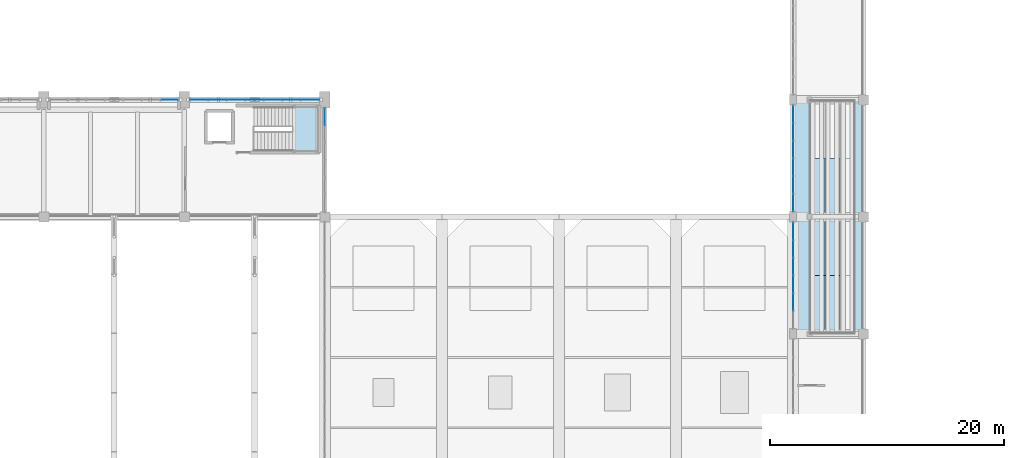
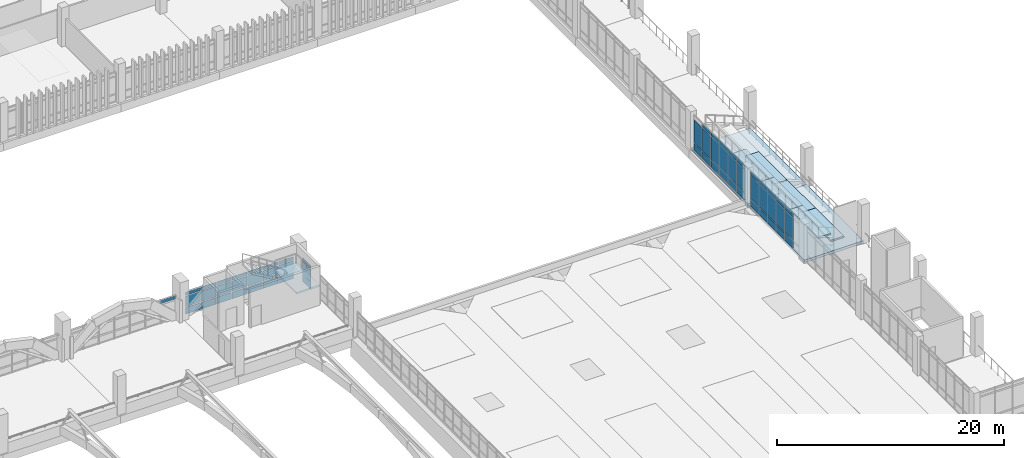
# One storey, part 129 of 161: 57 plates, 9 slabs, 6 elements without a shape of their own.
"""IFC4 building model written with IfcOpenShell, lengths in metres."""

from ifc_helpers import new_model, si_unit, direction, frame, origin, origin_2d, place, context, subcontext, project, spatial, polyline, rectangle, outline, extrude, material, layer, layer_set, type_object, element, aggregate, save


model = new_model("IFC4")

# Units and contexts
model_context = context("Model", 3, precision=1e-05, world=origin(), true_north=direction((0.0, 1.0)))
body_context = subcontext(model_context, "Body", "Model", "MODEL_VIEW")
ifc_project = project(units=[si_unit("LENGTHUNIT", "METRE"), si_unit("AREAUNIT", "SQUARE_METRE"), si_unit("VOLUMEUNIT", "CUBIC_METRE"), si_unit("PLANEANGLEUNIT", "RADIAN"), si_unit("MASSUNIT", "GRAM", prefix="KILO")], contexts=[model_context])

# Site, building, storey
site_placement = place(None, origin())
site = spatial("IfcSite", under=ifc_project, at=site_placement, CompositionType="ELEMENT")
building_placement = place(site_placement, origin())
building = spatial("IfcBuilding", under=site, at=building_placement, Name="Mersad Railyard Sports Hall", CompositionType="ELEMENT")
storey_placement = place(building_placement, frame((0.0, 0.0, 4.800048828125)))
storey = spatial("IfcBuildingStorey", under=building, at=storey_placement, Name="L01", CompositionType="ELEMENT", Elevation=4.800048828125)

# Curtain wall, plate
ifc_material_1 = material(Name="Aluminium 6063-T6", Category="aluminium")
ifc_layer_1 = layer(ifc_material_1, 0.199951171875)
ifc_layer_set_1 = layer_set([ifc_layer_1], Name="Aluminium 6063-T6")
curtain_wall_type_1 = type_object("IfcCurtainWallType", Name="ARC-CW-CW02", PredefinedType="USERDEFINED", material=ifc_layer_set_1)
curtain_wall_1_placement = place(storey_placement, origin())
curtain_wall_1 = element("IfcCurtainWall", 1, at=curtain_wall_1_placement, inside=storey, type_object=curtain_wall_type_1, Name="Curtain wall CW02-0018", ObjectType="CURTAIN WALL", PredefinedType="USERDEFINED")
ifc_material_2 = material(Name="Solar-control glass", Category="glass")
ifc_layer_2 = layer(ifc_material_2, 0.028076171875)
ifc_layer_set_2 = layer_set([ifc_layer_2], Name="Solar-control glass")
plate_type = type_object("IfcPlateType", Name="ARC-CW-PNL01", PredefinedType="CURTAIN_PANEL", material=ifc_layer_set_2)
plate_1_placement = place(storey_placement, frame((77.739990234375, 53.5, 2.094970703125), z_axis=(0.0, 0.0, 1.0), x_axis=(1.0, 0.0, 0.0)))
plate_1 = element("IfcPlate", 2, at=plate_1_placement, type_object=plate_type, Name="CW02 Glazed panel 7-3", PredefinedType="CURTAIN_PANEL", context=body_context, shape_type="SweptSolid", body=[
    extrude(rectangle(XDim=1.535888671875, YDim=0.028076171875, at=origin_2d()), origin(), (0.0, 0.0, 1.0), 0.35009765625),
])
aggregate(curtain_wall_1, [plate_1])

# Curtain wall, plates
curtain_wall_2_placement = place(storey_placement, origin())
curtain_wall_2 = element("IfcCurtainWall", 3, at=curtain_wall_2_placement, inside=storey, type_object=curtain_wall_type_1, Name="Curtain wall CW02-0022", ObjectType="CURTAIN WALL", PredefinedType="USERDEFINED")
plate_2_placement = place(storey_placement, frame((80.260009765625, 53.5, 0.0849609375), z_axis=(0.0, 0.0, 1.0), x_axis=(1.0, 0.0, 0.0)))
plate_2 = element("IfcPlate", 4, at=plate_2_placement, type_object=plate_type, Name="CW02 Glazed panel 1-1", PredefinedType="CURTAIN_PANEL", context=body_context, shape_type="SweptSolid", body=[
    extrude(rectangle(XDim=1.535888671875, YDim=0.028076171875, at=origin_2d()), origin(), (0.0, 0.0, 1.0), 0.719970703125),
])
plate_3_placement = place(storey_placement, frame((80.260009765625, 53.5, 0.89501953125), z_axis=(0.0, 0.0, 1.0), x_axis=(1.0, 0.0, 0.0)))
plate_3 = element("IfcPlate", 5, at=plate_3_placement, type_object=plate_type, Name="CW02 Glazed panel 1-2", PredefinedType="CURTAIN_PANEL", context=body_context, shape_type="SweptSolid", body=[
    extrude(rectangle(XDim=1.535888671875, YDim=0.028076171875, at=origin_2d()), origin(), (0.0, 0.0, 1.0), 1.110107421875),
])
plate_4_placement = place(storey_placement, frame((80.260009765625, 53.5, 2.094970703125), z_axis=(0.0, 0.0, 1.0), x_axis=(1.0, 0.0, 0.0)))
plate_4 = element("IfcPlate", 6, at=plate_4_placement, type_object=plate_type, Name="CW02 Glazed panel 1-3", PredefinedType="CURTAIN_PANEL", context=body_context, shape_type="SweptSolid", body=[
    extrude(rectangle(XDim=1.535888671875, YDim=0.028076171875, at=origin_2d()), origin(), (0.0, 0.0, 1.0), 0.35009765625),
])
plate_5_placement = place(storey_placement, frame((81.840087890625, 53.5, 0.0849609375), z_axis=(0.0, 0.0, 1.0), x_axis=(1.0, 0.0, 0.0)))
plate_5 = element("IfcPlate", 7, at=plate_5_placement, type_object=plate_type, Name="CW02 Glazed panel 2-1", PredefinedType="CURTAIN_PANEL", context=body_context, shape_type="SweptSolid", body=[
    extrude(rectangle(XDim=1.535888671875, YDim=0.028076171875, at=origin_2d()), origin(), (0.0, 0.0, 1.0), 0.719970703125),
])
plate_6_placement = place(storey_placement, frame((81.840087890625, 53.5, 0.89501953125), z_axis=(0.0, 0.0, 1.0), x_axis=(1.0, 0.0, 0.0)))
plate_6 = element("IfcPlate", 8, at=plate_6_placement, type_object=plate_type, Name="CW02 Glazed panel 2-2", PredefinedType="CURTAIN_PANEL", context=body_context, shape_type="SweptSolid", body=[
    extrude(rectangle(XDim=1.535888671875, YDim=0.028076171875, at=origin_2d()), origin(), (0.0, 0.0, 1.0), 1.110107421875),
])
plate_7_placement = place(storey_placement, frame((81.840087890625, 53.5, 2.094970703125), z_axis=(0.0, 0.0, 1.0), x_axis=(1.0, 0.0, 0.0)))
plate_7 = element("IfcPlate", 9, at=plate_7_placement, type_object=plate_type, Name="CW02 Glazed panel 2-3", PredefinedType="CURTAIN_PANEL", context=body_context, shape_type="SweptSolid", body=[
    extrude(rectangle(XDim=1.535888671875, YDim=0.028076171875, at=origin_2d()), origin(), (0.0, 0.0, 1.0), 0.35009765625),
])
plate_8_placement = place(storey_placement, frame((83.419921875, 53.5, 0.0849609375), z_axis=(0.0, 0.0, 1.0), x_axis=(1.0, 0.0, 0.0)))
plate_8 = element("IfcPlate", 10, at=plate_8_placement, type_object=plate_type, Name="CW02 Glazed panel 3-1", PredefinedType="CURTAIN_PANEL", context=body_context, shape_type="SweptSolid", body=[
    extrude(rectangle(XDim=1.535888671875, YDim=0.028076171875, at=origin_2d()), origin(), (0.0, 0.0, 1.0), 0.719970703125),
])
plate_9_placement = place(storey_placement, frame((83.419921875, 53.5, 0.89501953125), z_axis=(0.0, 0.0, 1.0), x_axis=(1.0, 0.0, 0.0)))
plate_9 = element("IfcPlate", 11, at=plate_9_placement, type_object=plate_type, Name="CW02 Glazed panel 3-2", PredefinedType="CURTAIN_PANEL", context=body_context, shape_type="SweptSolid", body=[
    extrude(rectangle(XDim=1.535888671875, YDim=0.028076171875, at=origin_2d()), origin(), (0.0, 0.0, 1.0), 1.110107421875),
])
plate_10_placement = place(storey_placement, frame((83.419921875, 53.5, 2.094970703125), z_axis=(0.0, 0.0, 1.0), x_axis=(1.0, 0.0, 0.0)))
plate_10 = element("IfcPlate", 12, at=plate_10_placement, type_object=plate_type, Name="CW02 Glazed panel 3-3", PredefinedType="CURTAIN_PANEL", context=body_context, shape_type="SweptSolid", body=[
    extrude(rectangle(XDim=1.535888671875, YDim=0.028076171875, at=origin_2d()), origin(), (0.0, 0.0, 1.0), 0.35009765625),
])
plate_11_placement = place(storey_placement, frame((85.0, 53.5, 0.0849609375), z_axis=(0.0, 0.0, 1.0), x_axis=(1.0, 0.0, 0.0)))
plate_11 = element("IfcPlate", 13, at=plate_11_placement, type_object=plate_type, Name="CW02 Glazed panel 4-1", PredefinedType="CURTAIN_PANEL", context=body_context, shape_type="SweptSolid", body=[
    extrude(rectangle(XDim=1.535888671875, YDim=0.028076171875, at=origin_2d()), origin(), (0.0, 0.0, 1.0), 0.719970703125),
])
plate_12_placement = place(storey_placement, frame((85.0, 53.5, 0.89501953125), z_axis=(0.0, 0.0, 1.0), x_axis=(1.0, 0.0, 0.0)))
plate_12 = element("IfcPlate", 14, at=plate_12_placement, type_object=plate_type, Name="CW02 Glazed panel 4-2", PredefinedType="CURTAIN_PANEL", context=body_context, shape_type="SweptSolid", body=[
    extrude(rectangle(XDim=1.535888671875, YDim=0.028076171875, at=origin_2d()), origin(), (0.0, 0.0, 1.0), 1.110107421875),
])
plate_13_placement = place(storey_placement, frame((85.0, 53.5, 2.094970703125), z_axis=(0.0, 0.0, 1.0), x_axis=(1.0, 0.0, 0.0)))
plate_13 = element("IfcPlate", 15, at=plate_13_placement, type_object=plate_type, Name="CW02 Glazed panel 4-3", PredefinedType="CURTAIN_PANEL", context=body_context, shape_type="SweptSolid", body=[
    extrude(rectangle(XDim=1.535888671875, YDim=0.028076171875, at=origin_2d()), origin(), (0.0, 0.0, 1.0), 0.35009765625),
])
plate_14_placement = place(storey_placement, frame((86.580078125, 53.5, 0.0849609375), z_axis=(0.0, 0.0, 1.0), x_axis=(1.0, 0.0, 0.0)))
plate_14 = element("IfcPlate", 16, at=plate_14_placement, type_object=plate_type, Name="CW02 Glazed panel 5-1", PredefinedType="CURTAIN_PANEL", context=body_context, shape_type="SweptSolid", body=[
    extrude(rectangle(XDim=1.535888671875, YDim=0.028076171875, at=origin_2d()), origin(), (0.0, 0.0, 1.0), 0.719970703125),
])
plate_15_placement = place(storey_placement, frame((86.580078125, 53.5, 0.89501953125), z_axis=(0.0, 0.0, 1.0), x_axis=(1.0, 0.0, 0.0)))
plate_15 = element("IfcPlate", 17, at=plate_15_placement, type_object=plate_type, Name="CW02 Glazed panel 5-2", PredefinedType="CURTAIN_PANEL", context=body_context, shape_type="SweptSolid", body=[
    extrude(rectangle(XDim=1.535888671875, YDim=0.028076171875, at=origin_2d()), origin(), (0.0, 0.0, 1.0), 1.110107421875),
])
plate_16_placement = place(storey_placement, frame((86.580078125, 53.5, 2.094970703125), z_axis=(0.0, 0.0, 1.0), x_axis=(1.0, 0.0, 0.0)))
plate_16 = element("IfcPlate", 18, at=plate_16_placement, type_object=plate_type, Name="CW02 Glazed panel 5-3", PredefinedType="CURTAIN_PANEL", context=body_context, shape_type="SweptSolid", body=[
    extrude(rectangle(XDim=1.535888671875, YDim=0.028076171875, at=origin_2d()), origin(), (0.0, 0.0, 1.0), 0.35009765625),
])
plate_17_placement = place(storey_placement, frame((88.159912109375, 53.5, 0.0849609375), z_axis=(0.0, 0.0, 1.0), x_axis=(1.0, 0.0, 0.0)))
plate_17 = element("IfcPlate", 19, at=plate_17_placement, type_object=plate_type, Name="CW02 Glazed panel 6-1", PredefinedType="CURTAIN_PANEL", context=body_context, shape_type="SweptSolid", body=[
    extrude(rectangle(XDim=1.535888671875, YDim=0.028076171875, at=origin_2d()), origin(), (0.0, 0.0, 1.0), 0.719970703125),
])
plate_18_placement = place(storey_placement, frame((88.159912109375, 53.5, 0.89501953125), z_axis=(0.0, 0.0, 1.0), x_axis=(1.0, 0.0, 0.0)))
plate_18 = element("IfcPlate", 20, at=plate_18_placement, type_object=plate_type, Name="CW02 Glazed panel 6-2", PredefinedType="CURTAIN_PANEL", context=body_context, shape_type="SweptSolid", body=[
    extrude(rectangle(XDim=1.535888671875, YDim=0.028076171875, at=origin_2d()), origin(), (0.0, 0.0, 1.0), 1.110107421875),
])
plate_19_placement = place(storey_placement, frame((88.159912109375, 53.5, 2.094970703125), z_axis=(0.0, 0.0, 1.0), x_axis=(1.0, 0.0, 0.0)))
plate_19 = element("IfcPlate", 21, at=plate_19_placement, type_object=plate_type, Name="CW02 Glazed panel 6-3", PredefinedType="CURTAIN_PANEL", context=body_context, shape_type="SweptSolid", body=[
    extrude(rectangle(XDim=1.535888671875, YDim=0.028076171875, at=origin_2d()), origin(), (0.0, 0.0, 1.0), 0.35009765625),
])
plate_20_placement = place(storey_placement, frame((89.739990234375, 53.5, 0.0849609375), z_axis=(0.0, 0.0, 1.0), x_axis=(1.0, 0.0, 0.0)))
plate_20 = element("IfcPlate", 22, at=plate_20_placement, type_object=plate_type, Name="CW02 Glazed panel 7-1", PredefinedType="CURTAIN_PANEL", context=body_context, shape_type="SweptSolid", body=[
    extrude(rectangle(XDim=1.535888671875, YDim=0.028076171875, at=origin_2d()), origin(), (0.0, 0.0, 1.0), 0.719970703125),
])
plate_21_placement = place(storey_placement, frame((89.739990234375, 53.5, 0.89501953125), z_axis=(0.0, 0.0, 1.0), x_axis=(1.0, 0.0, 0.0)))
plate_21 = element("IfcPlate", 23, at=plate_21_placement, type_object=plate_type, Name="CW02 Glazed panel 7-2", PredefinedType="CURTAIN_PANEL", context=body_context, shape_type="SweptSolid", body=[
    extrude(rectangle(XDim=1.535888671875, YDim=0.028076171875, at=origin_2d()), origin(), (0.0, 0.0, 1.0), 1.110107421875),
])
plate_22_placement = place(storey_placement, frame((89.739990234375, 53.5, 2.094970703125), z_axis=(0.0, 0.0, 1.0), x_axis=(1.0, 0.0, 0.0)))
plate_22 = element("IfcPlate", 24, at=plate_22_placement, type_object=plate_type, Name="CW02 Glazed panel 7-3", PredefinedType="CURTAIN_PANEL", context=body_context, shape_type="SweptSolid", body=[
    extrude(rectangle(XDim=1.535888671875, YDim=0.028076171875, at=origin_2d()), origin(), (0.0, 0.0, 1.0), 0.35009765625),
])
aggregate(curtain_wall_2, [plate_2, plate_3, plate_4, plate_5, plate_6, plate_7, plate_8, plate_9, plate_10, plate_11, plate_12, plate_13, plate_14, plate_15, plate_16, plate_17, plate_18, plate_19, plate_20, plate_21, plate_22])

ifc_layer_3 = layer(ifc_material_1, 0.159912109375)
ifc_layer_set_3 = layer_set([ifc_layer_3], Name="Aluminium 6063-T6")
curtain_wall_type_2 = type_object("IfcCurtainWallType", Name="ARC-CW-CW03", PredefinedType="USERDEFINED", material=ifc_layer_set_3)
curtain_wall_3_placement = place(storey_placement, origin())
curtain_wall_3 = element("IfcCurtainWall", 25, at=curtain_wall_3_placement, inside=storey, type_object=curtain_wall_type_2, Name="Curtain wall CW03-0028", ObjectType="CURTAIN WALL", PredefinedType="USERDEFINED")
plate_23_placement = place(storey_placement, frame((91.0, 52.043701171875, 0.0849609375), z_axis=(0.0, 0.0, 1.0), x_axis=(0.0, -1.0, 0.0)))
plate_23 = element("IfcPlate", 26, at=plate_23_placement, type_object=plate_type, Name="CW03 Glazed panel 1-1", PredefinedType="CURTAIN_PANEL", context=body_context, shape_type="SweptSolid", body=[
    extrude(rectangle(XDim=1.428466796875, YDim=0.028076171875, at=origin_2d()), origin(), (0.0, 0.0, 1.0), 0.719970703125),
])
plate_24_placement = place(storey_placement, frame((91.0, 52.043701171875, 0.89501953125), z_axis=(0.0, 0.0, 1.0), x_axis=(0.0, -1.0, 0.0)))
plate_24 = element("IfcPlate", 27, at=plate_24_placement, type_object=plate_type, Name="CW03 Glazed panel 1-2", PredefinedType="CURTAIN_PANEL", context=body_context, shape_type="SweptSolid", body=[
    extrude(rectangle(XDim=1.428466796875, YDim=0.028076171875, at=origin_2d()), origin(), (0.0, 0.0, 1.0), 1.260009765625),
])
plate_25_placement = place(storey_placement, frame((91.0, 52.043701171875, 2.244873046875), z_axis=(0.0, 0.0, 1.0), x_axis=(0.0, -1.0, 0.0)))
plate_25 = element("IfcPlate", 28, at=plate_25_placement, type_object=plate_type, Name="CW03 Glazed panel 1-3", PredefinedType="CURTAIN_PANEL", context=body_context, shape_type="SweptSolid", body=[
    extrude(rectangle(XDim=1.428466796875, YDim=0.028076171875, at=origin_2d()), origin(), (0.0, 0.0, 1.0), 0.35009765625),
])
aggregate(curtain_wall_3, [plate_23, plate_24, plate_25])

ifc_layer_4 = layer(ifc_material_1, 0.159912109375)
ifc_layer_set_4 = layer_set([ifc_layer_4], Name="Aluminium 6063-T6")
curtain_wall_type_3 = type_object("IfcCurtainWallType", Name="ARC-CW-CW14", PredefinedType="USERDEFINED", material=ifc_layer_set_4)
curtain_wall_4_placement = place(storey_placement, origin())
curtain_wall_4 = element("IfcCurtainWall", 29, at=curtain_wall_4_placement, inside=storey, type_object=curtain_wall_type_3, Name="Curtain wall CW14-0070", ObjectType="CURTAIN WALL", PredefinedType="USERDEFINED")
plate_26_placement = place(storey_placement, frame((131.0, 36.235107421875, 0.0849609375), z_axis=(0.0, 0.0, 1.0), x_axis=(0.0, 1.0, 0.0)))
plate_26 = element("IfcPlate", 30, at=plate_26_placement, type_object=plate_type, Name="CW14 Glazed panel 2-1", PredefinedType="CURTAIN_PANEL", context=body_context, shape_type="SweptSolid", body=[
    extrude(rectangle(XDim=1.466064453125, YDim=0.028076171875, at=origin_2d()), origin(), (0.0, 0.0, 1.0), 0.719970703125),
])
plate_27_placement = place(storey_placement, frame((131.0, 36.235107421875, 0.89501953125), z_axis=(0.0, 0.0, 1.0), x_axis=(0.0, 1.0, 0.0)))
plate_27 = element("IfcPlate", 31, at=plate_27_placement, type_object=plate_type, Name="CW14 Glazed panel 2-2", PredefinedType="CURTAIN_PANEL", context=body_context, shape_type="SweptSolid", body=[
    extrude(rectangle(XDim=1.466064453125, YDim=0.028076171875, at=origin_2d()), origin(), (0.0, 0.0, 1.0), 2.409912109375),
])
plate_28_placement = place(storey_placement, frame((131.0, 36.235107421875, 3.39501953125), z_axis=(0.0, 0.0, 1.0), x_axis=(0.0, 1.0, 0.0)))
plate_28 = element("IfcPlate", 32, at=plate_28_placement, type_object=plate_type, Name="CW14 Glazed panel 2-3", PredefinedType="CURTAIN_PANEL", context=body_context, shape_type="SweptSolid", body=[
    extrude(rectangle(XDim=1.466064453125, YDim=0.028076171875, at=origin_2d()), origin(), (0.0, 0.0, 1.0), 0.35009765625),
])
plate_29_placement = place(storey_placement, frame((131.0, 37.7451171875, 0.0849609375), z_axis=(0.0, 0.0, 1.0), x_axis=(0.0, 1.0, 0.0)))
plate_29 = element("IfcPlate", 33, at=plate_29_placement, type_object=plate_type, Name="CW14 Glazed panel 3-1", PredefinedType="CURTAIN_PANEL", context=body_context, shape_type="SweptSolid", body=[
    extrude(rectangle(XDim=1.466064453125, YDim=0.028076171875, at=origin_2d()), origin(), (0.0, 0.0, 1.0), 0.719970703125),
])
plate_30_placement = place(storey_placement, frame((131.0, 37.7451171875, 0.89501953125), z_axis=(0.0, 0.0, 1.0), x_axis=(0.0, 1.0, 0.0)))
plate_30 = element("IfcPlate", 34, at=plate_30_placement, type_object=plate_type, Name="CW14 Glazed panel 3-2", PredefinedType="CURTAIN_PANEL", context=body_context, shape_type="SweptSolid", body=[
    extrude(rectangle(XDim=1.466064453125, YDim=0.028076171875, at=origin_2d()), origin(), (0.0, 0.0, 1.0), 2.409912109375),
])
plate_31_placement = place(storey_placement, frame((131.0, 37.7451171875, 3.39501953125), z_axis=(0.0, 0.0, 1.0), x_axis=(0.0, 1.0, 0.0)))
plate_31 = element("IfcPlate", 35, at=plate_31_placement, type_object=plate_type, Name="CW14 Glazed panel 3-3", PredefinedType="CURTAIN_PANEL", context=body_context, shape_type="SweptSolid", body=[
    extrude(rectangle(XDim=1.466064453125, YDim=0.028076171875, at=origin_2d()), origin(), (0.0, 0.0, 1.0), 0.35009765625),
])
plate_32_placement = place(storey_placement, frame((131.0, 39.2548828125, 0.0849609375), z_axis=(0.0, 0.0, 1.0), x_axis=(0.0, 1.0, 0.0)))
plate_32 = element("IfcPlate", 36, at=plate_32_placement, type_object=plate_type, Name="CW14 Glazed panel 4-1", PredefinedType="CURTAIN_PANEL", context=body_context, shape_type="SweptSolid", body=[
    extrude(rectangle(XDim=1.466064453125, YDim=0.028076171875, at=origin_2d()), origin(), (0.0, 0.0, 1.0), 0.719970703125),
])
plate_33_placement = place(storey_placement, frame((131.0, 39.2548828125, 0.89501953125), z_axis=(0.0, 0.0, 1.0), x_axis=(0.0, 1.0, 0.0)))
plate_33 = element("IfcPlate", 37, at=plate_33_placement, type_object=plate_type, Name="CW14 Glazed panel 4-2", PredefinedType="CURTAIN_PANEL", context=body_context, shape_type="SweptSolid", body=[
    extrude(rectangle(XDim=1.466064453125, YDim=0.028076171875, at=origin_2d()), origin(), (0.0, 0.0, 1.0), 2.409912109375),
])
plate_34_placement = place(storey_placement, frame((131.0, 39.2548828125, 3.39501953125), z_axis=(0.0, 0.0, 1.0), x_axis=(0.0, 1.0, 0.0)))
plate_34 = element("IfcPlate", 38, at=plate_34_placement, type_object=plate_type, Name="CW14 Glazed panel 4-3", PredefinedType="CURTAIN_PANEL", context=body_context, shape_type="SweptSolid", body=[
    extrude(rectangle(XDim=1.466064453125, YDim=0.028076171875, at=origin_2d()), origin(), (0.0, 0.0, 1.0), 0.35009765625),
])
plate_35_placement = place(storey_placement, frame((131.0, 40.764892578125, 0.0849609375), z_axis=(0.0, 0.0, 1.0), x_axis=(0.0, 1.0, 0.0)))
plate_35 = element("IfcPlate", 39, at=plate_35_placement, type_object=plate_type, Name="CW14 Glazed panel 5-1", PredefinedType="CURTAIN_PANEL", context=body_context, shape_type="SweptSolid", body=[
    extrude(rectangle(XDim=1.466064453125, YDim=0.028076171875, at=origin_2d()), origin(), (0.0, 0.0, 1.0), 0.719970703125),
])
plate_36_placement = place(storey_placement, frame((131.0, 40.764892578125, 0.89501953125), z_axis=(0.0, 0.0, 1.0), x_axis=(0.0, 1.0, 0.0)))
plate_36 = element("IfcPlate", 40, at=plate_36_placement, type_object=plate_type, Name="CW14 Glazed panel 5-2", PredefinedType="CURTAIN_PANEL", context=body_context, shape_type="SweptSolid", body=[
    extrude(rectangle(XDim=1.466064453125, YDim=0.028076171875, at=origin_2d()), origin(), (0.0, 0.0, 1.0), 2.409912109375),
])
plate_37_placement = place(storey_placement, frame((131.0, 40.764892578125, 3.39501953125), z_axis=(0.0, 0.0, 1.0), x_axis=(0.0, 1.0, 0.0)))
plate_37 = element("IfcPlate", 41, at=plate_37_placement, type_object=plate_type, Name="CW14 Glazed panel 5-3", PredefinedType="CURTAIN_PANEL", context=body_context, shape_type="SweptSolid", body=[
    extrude(rectangle(XDim=1.466064453125, YDim=0.028076171875, at=origin_2d()), origin(), (0.0, 0.0, 1.0), 0.35009765625),
])
plate_38_placement = place(storey_placement, frame((131.0, 42.27490234375, 0.0849609375), z_axis=(0.0, 0.0, 1.0), x_axis=(0.0, 1.0, 0.0)))
plate_38 = element("IfcPlate", 42, at=plate_38_placement, type_object=plate_type, Name="CW14 Glazed panel 6-1", PredefinedType="CURTAIN_PANEL", context=body_context, shape_type="SweptSolid", body=[
    extrude(rectangle(XDim=1.466064453125, YDim=0.028076171875, at=origin_2d()), origin(), (0.0, 0.0, 1.0), 0.719970703125),
])
plate_39_placement = place(storey_placement, frame((131.0, 42.27490234375, 0.89501953125), z_axis=(0.0, 0.0, 1.0), x_axis=(0.0, 1.0, 0.0)))
plate_39 = element("IfcPlate", 43, at=plate_39_placement, type_object=plate_type, Name="CW14 Glazed panel 6-2", PredefinedType="CURTAIN_PANEL", context=body_context, shape_type="SweptSolid", body=[
    extrude(rectangle(XDim=1.466064453125, YDim=0.028076171875, at=origin_2d()), origin(), (0.0, 0.0, 1.0), 2.409912109375),
])
plate_40_placement = place(storey_placement, frame((131.0, 42.27490234375, 3.39501953125), z_axis=(0.0, 0.0, 1.0), x_axis=(0.0, 1.0, 0.0)))
plate_40 = element("IfcPlate", 44, at=plate_40_placement, type_object=plate_type, Name="CW14 Glazed panel 6-3", PredefinedType="CURTAIN_PANEL", context=body_context, shape_type="SweptSolid", body=[
    extrude(rectangle(XDim=1.466064453125, YDim=0.028076171875, at=origin_2d()), origin(), (0.0, 0.0, 1.0), 0.35009765625),
])
aggregate(curtain_wall_4, [plate_26, plate_27, plate_28, plate_29, plate_30, plate_31, plate_32, plate_33, plate_34, plate_35, plate_36, plate_37, plate_38, plate_39, plate_40])

ifc_layer_5 = layer(ifc_material_1, 0.159912109375)
ifc_layer_set_5 = layer_set([ifc_layer_5], Name="Aluminium 6063-T6")
curtain_wall_type_4 = type_object("IfcCurtainWallType", Name="ARC-CW-CW25", PredefinedType="USERDEFINED", material=ifc_layer_set_5)
curtain_wall_5_placement = place(storey_placement, origin())
curtain_wall_5 = element("IfcCurtainWall", 45, at=curtain_wall_5_placement, inside=storey, type_object=curtain_wall_type_4, Name="Curtain wall CW25-0072", ObjectType="CURTAIN WALL", PredefinedType="USERDEFINED")
plate_41_placement = place(storey_placement, frame((131.0, 44.72509765625, 0.0849609375), z_axis=(0.0, 0.0, 1.0), x_axis=(0.0, 1.0, 0.0)))
plate_41 = element("IfcPlate", 46, at=plate_41_placement, type_object=plate_type, Name="CW25 Glazed panel 1-1", PredefinedType="CURTAIN_PANEL", context=body_context, shape_type="SweptSolid", body=[
    extrude(rectangle(XDim=1.466064453125, YDim=0.028076171875, at=origin_2d()), origin(), (0.0, 0.0, 1.0), 0.719970703125),
])
plate_42_placement = place(storey_placement, frame((131.0, 44.72509765625, 0.89501953125), z_axis=(0.0, 0.0, 1.0), x_axis=(0.0, 1.0, 0.0)))
plate_42 = element("IfcPlate", 47, at=plate_42_placement, type_object=plate_type, Name="CW25 Glazed panel 1-2", PredefinedType="CURTAIN_PANEL", context=body_context, shape_type="SweptSolid", body=[
    extrude(rectangle(XDim=1.466064453125, YDim=0.028076171875, at=origin_2d()), origin(), (0.0, 0.0, 1.0), 2.43994140625),
])
plate_43_placement = place(storey_placement, frame((131.0, 44.72509765625, 3.4248046875), z_axis=(0.0, 0.0, 1.0), x_axis=(0.0, 1.0, 0.0)))
plate_43 = element("IfcPlate", 48, at=plate_43_placement, type_object=plate_type, Name="CW25 Glazed panel 1-3", PredefinedType="CURTAIN_PANEL", context=body_context, shape_type="SweptSolid", body=[
    extrude(rectangle(XDim=1.466064453125, YDim=0.028076171875, at=origin_2d()), origin(), (0.0, 0.0, 1.0), 0.35009765625),
])
plate_44_placement = place(storey_placement, frame((131.0, 46.235107421875, 0.0849609375), z_axis=(0.0, 0.0, 1.0), x_axis=(0.0, 1.0, 0.0)))
plate_44 = element("IfcPlate", 49, at=plate_44_placement, type_object=plate_type, Name="CW25 Glazed panel 2-1", PredefinedType="CURTAIN_PANEL", context=body_context, shape_type="SweptSolid", body=[
    extrude(rectangle(XDim=1.466064453125, YDim=0.028076171875, at=origin_2d()), origin(), (0.0, 0.0, 1.0), 0.719970703125),
])
plate_45_placement = place(storey_placement, frame((131.0, 46.235107421875, 0.89501953125), z_axis=(0.0, 0.0, 1.0), x_axis=(0.0, 1.0, 0.0)))
plate_45 = element("IfcPlate", 50, at=plate_45_placement, type_object=plate_type, Name="CW25 Glazed panel 2-2", PredefinedType="CURTAIN_PANEL", context=body_context, shape_type="SweptSolid", body=[
    extrude(rectangle(XDim=1.466064453125, YDim=0.028076171875, at=origin_2d()), origin(), (0.0, 0.0, 1.0), 2.43994140625),
])
plate_46_placement = place(storey_placement, frame((131.0, 46.235107421875, 3.4248046875), z_axis=(0.0, 0.0, 1.0), x_axis=(0.0, 1.0, 0.0)))
plate_46 = element("IfcPlate", 51, at=plate_46_placement, type_object=plate_type, Name="CW25 Glazed panel 2-3", PredefinedType="CURTAIN_PANEL", context=body_context, shape_type="SweptSolid", body=[
    extrude(rectangle(XDim=1.466064453125, YDim=0.028076171875, at=origin_2d()), origin(), (0.0, 0.0, 1.0), 0.35009765625),
])
plate_47_placement = place(storey_placement, frame((131.0, 47.7451171875, 0.0849609375), z_axis=(0.0, 0.0, 1.0), x_axis=(0.0, 1.0, 0.0)))
plate_47 = element("IfcPlate", 52, at=plate_47_placement, type_object=plate_type, Name="CW25 Glazed panel 3-1", PredefinedType="CURTAIN_PANEL", context=body_context, shape_type="SweptSolid", body=[
    extrude(rectangle(XDim=1.466064453125, YDim=0.028076171875, at=origin_2d()), origin(), (0.0, 0.0, 1.0), 0.719970703125),
])
plate_48_placement = place(storey_placement, frame((131.0, 47.7451171875, 0.89501953125), z_axis=(0.0, 0.0, 1.0), x_axis=(0.0, 1.0, 0.0)))
plate_48 = element("IfcPlate", 53, at=plate_48_placement, type_object=plate_type, Name="CW25 Glazed panel 3-2", PredefinedType="CURTAIN_PANEL", context=body_context, shape_type="SweptSolid", body=[
    extrude(rectangle(XDim=1.466064453125, YDim=0.028076171875, at=origin_2d()), origin(), (0.0, 0.0, 1.0), 2.43994140625),
])
plate_49_placement = place(storey_placement, frame((131.0, 47.7451171875, 3.4248046875), z_axis=(0.0, 0.0, 1.0), x_axis=(0.0, 1.0, 0.0)))
plate_49 = element("IfcPlate", 54, at=plate_49_placement, type_object=plate_type, Name="CW25 Glazed panel 3-3", PredefinedType="CURTAIN_PANEL", context=body_context, shape_type="SweptSolid", body=[
    extrude(rectangle(XDim=1.466064453125, YDim=0.028076171875, at=origin_2d()), origin(), (0.0, 0.0, 1.0), 0.35009765625),
])
plate_50_placement = place(storey_placement, frame((131.0, 49.2548828125, 0.0849609375), z_axis=(0.0, 0.0, 1.0), x_axis=(0.0, 1.0, 0.0)))
plate_50 = element("IfcPlate", 55, at=plate_50_placement, type_object=plate_type, Name="CW25 Glazed panel 4-1", PredefinedType="CURTAIN_PANEL", context=body_context, shape_type="SweptSolid", body=[
    extrude(rectangle(XDim=1.466064453125, YDim=0.028076171875, at=origin_2d()), origin(), (0.0, 0.0, 1.0), 0.719970703125),
])
plate_51_placement = place(storey_placement, frame((131.0, 49.2548828125, 0.89501953125), z_axis=(0.0, 0.0, 1.0), x_axis=(0.0, 1.0, 0.0)))
plate_51 = element("IfcPlate", 56, at=plate_51_placement, type_object=plate_type, Name="CW25 Glazed panel 4-2", PredefinedType="CURTAIN_PANEL", context=body_context, shape_type="SweptSolid", body=[
    extrude(rectangle(XDim=1.466064453125, YDim=0.028076171875, at=origin_2d()), origin(), (0.0, 0.0, 1.0), 2.43994140625),
])
plate_52_placement = place(storey_placement, frame((131.0, 49.2548828125, 3.4248046875), z_axis=(0.0, 0.0, 1.0), x_axis=(0.0, 1.0, 0.0)))
plate_52 = element("IfcPlate", 57, at=plate_52_placement, type_object=plate_type, Name="CW25 Glazed panel 4-3", PredefinedType="CURTAIN_PANEL", context=body_context, shape_type="SweptSolid", body=[
    extrude(rectangle(XDim=1.466064453125, YDim=0.028076171875, at=origin_2d()), origin(), (0.0, 0.0, 1.0), 0.35009765625),
])
plate_53_placement = place(storey_placement, frame((131.0, 50.764892578125, 0.0849609375), z_axis=(0.0, 0.0, 1.0), x_axis=(0.0, 1.0, 0.0)))
plate_53 = element("IfcPlate", 58, at=plate_53_placement, type_object=plate_type, Name="CW25 Glazed panel 5-1", PredefinedType="CURTAIN_PANEL", context=body_context, shape_type="SweptSolid", body=[
    extrude(rectangle(XDim=1.466064453125, YDim=0.028076171875, at=origin_2d()), origin(), (0.0, 0.0, 1.0), 0.719970703125),
])
plate_54_placement = place(storey_placement, frame((131.0, 50.764892578125, 0.89501953125), z_axis=(0.0, 0.0, 1.0), x_axis=(0.0, 1.0, 0.0)))
plate_54 = element("IfcPlate", 59, at=plate_54_placement, type_object=plate_type, Name="CW25 Glazed panel 5-2", PredefinedType="CURTAIN_PANEL", context=body_context, shape_type="SweptSolid", body=[
    extrude(rectangle(XDim=1.466064453125, YDim=0.028076171875, at=origin_2d()), origin(), (0.0, 0.0, 1.0), 2.43994140625),
])
plate_55_placement = place(storey_placement, frame((131.0, 50.764892578125, 3.4248046875), z_axis=(0.0, 0.0, 1.0), x_axis=(0.0, 1.0, 0.0)))
plate_55 = element("IfcPlate", 60, at=plate_55_placement, type_object=plate_type, Name="CW25 Glazed panel 5-3", PredefinedType="CURTAIN_PANEL", context=body_context, shape_type="SweptSolid", body=[
    extrude(rectangle(XDim=1.466064453125, YDim=0.028076171875, at=origin_2d()), origin(), (0.0, 0.0, 1.0), 0.35009765625),
])
plate_56_placement = place(storey_placement, frame((131.0, 52.27490234375, 0.0849609375), z_axis=(0.0, 0.0, 1.0), x_axis=(0.0, 1.0, 0.0)))
plate_56 = element("IfcPlate", 61, at=plate_56_placement, type_object=plate_type, Name="CW25 Glazed panel 6-1", PredefinedType="CURTAIN_PANEL", context=body_context, shape_type="SweptSolid", body=[
    extrude(rectangle(XDim=1.466064453125, YDim=0.028076171875, at=origin_2d()), origin(), (0.0, 0.0, 1.0), 0.719970703125),
])
plate_57_placement = place(storey_placement, frame((131.0, 52.27490234375, 0.89501953125), z_axis=(0.0, 0.0, 1.0), x_axis=(0.0, 1.0, 0.0)))
plate_57 = element("IfcPlate", 62, at=plate_57_placement, type_object=plate_type, Name="CW25 Glazed panel 6-2", PredefinedType="CURTAIN_PANEL", context=body_context, shape_type="SweptSolid", body=[
    extrude(rectangle(XDim=1.466064453125, YDim=0.028076171875, at=origin_2d()), origin(), (0.0, 0.0, 1.0), 2.43994140625),
])
aggregate(curtain_wall_5, [plate_41, plate_42, plate_43, plate_44, plate_45, plate_46, plate_47, plate_48, plate_49, plate_50, plate_51, plate_52, plate_53, plate_54, plate_55, plate_56, plate_57])

# Slabs
ifc_material_3 = material(Name="Concrete C40/50", Category="concrete")
ifc_layer_6 = layer(ifc_material_3, 0.280029296875)
ifc_layer_set_6 = layer_set([ifc_layer_6], Name="Concrete C40/50")
slab_type_1 = type_object("IfcSlabType", Name="STR-SL-FL02", PredefinedType="FLOOR", material=ifc_layer_set_6)
slab_1_placement = place(storey_placement, frame((0.0, 0.0, -0.280029296875)))
element("IfcSlab", 63, at=slab_1_placement, inside=storey, type_object=slab_type_1, Name="Slab SL02-0061", PredefinedType="FLOOR", context=body_context, shape_type="SweptSolid", body=[
    extrude(outline(polyline([(131.0, 33.5), (137.0, 33.5), (137.0, 43.5), (131.0, 43.5), (131.0, 33.5)])), origin(), (0.0, 0.0, 1.0), 0.280029296875),
])
slab_2_placement = place(storey_placement, frame((0.0, 0.0, -0.280029296875)))
element("IfcSlab", 64, at=slab_2_placement, inside=storey, type_object=slab_type_1, Name="Slab SL02-0063", PredefinedType="FLOOR", context=body_context, shape_type="SweptSolid", body=[
    extrude(outline(polyline([(131.0, 43.5), (137.0, 43.5), (137.0, 53.5), (131.0, 53.5), (131.0, 43.5)])), origin(), (0.0, 0.0, 1.0), 0.280029296875),
])

# Stair, slab
stair_type = type_object("IfcStairType", Name="ARC-ST-ST08B", PredefinedType="HALF_TURN_STAIR", material=ifc_material_3)
stair_placement = place(storey_placement, origin())
stair = element("IfcStair", 65, at=stair_placement, inside=storey, type_object=stair_type, Name="NE Pavilion Pitch Stair L01-L02", PredefinedType="HALF_TURN_STAIR")
ifc_material_4 = material(Name="Precast concrete C45/55", Category="concrete")
ifc_layer_7 = layer(ifc_material_4, 0.199951171875)
ifc_layer_set_7 = layer_set([ifc_layer_7], Name="Precast concrete C45/55")
slab_type_2 = type_object("IfcSlabType", Name="STR-SL-LD02", PredefinedType="LANDING", material=ifc_layer_set_7)
slab_3_placement = place(storey_placement, frame((0.0, 0.0, 1.919921875)))
slab_3 = element("IfcSlab", 66, at=slab_3_placement, type_object=slab_type_2, Name="NE Pavilion Pitch Stair L01-L02 Half Landing", PredefinedType="LANDING", context=body_context, shape_type="SweptSolid", body=[
    extrude(outline(polyline([(88.18994140625, 48.97998046875), (90.570068359375, 48.97998046875), (90.570068359375, 53.02001953125), (88.18994140625, 53.02001953125), (88.18994140625, 48.97998046875)])), origin(), (0.0, 0.0, 1.0), 0.179931640625),
])
aggregate(stair, [slab_3])

# Slabs
ifc_layer_8 = layer(ifc_material_4, 0.159912109375)
ifc_layer_set_8 = layer_set([ifc_layer_8], Name="Precast concrete C45/55")
slab_type_3 = type_object("IfcSlabType", Name="STR-SL-ST01", PredefinedType="USERDEFINED", material=ifc_layer_set_8)
slab_4_placement = place(storey_placement, frame((0.0, 0.0, 1.0400390625)))
element("IfcSlab", 67, at=slab_4_placement, inside=storey, type_object=slab_type_3, Name="Stand upper tier west step 5", ObjectType="SEATING TIER", PredefinedType="USERDEFINED", context=body_context, shape_type="SweptSolid", body=[
    extrude(outline(polyline([(133.699951171875, 33.5), (135.0, 33.5), (135.0, 38.5), (133.699951171875, 38.5), (133.699951171875, 33.5)])), origin(), (0.0, 0.0, 1.0), 0.159912109375),
])
slab_5_placement = place(storey_placement, frame((0.0, 0.0, 1.7900390625)))
element("IfcSlab", 68, at=slab_5_placement, inside=storey, type_object=slab_type_3, Name="Stand upper tier west step 6", ObjectType="SEATING TIER", PredefinedType="USERDEFINED", context=body_context, shape_type="SweptSolid", body=[
    extrude(outline(polyline([(132.39990234375, 33.5), (133.699951171875, 33.5), (133.699951171875, 38.5), (132.39990234375, 38.5), (132.39990234375, 33.5)])), origin(), (0.0, 0.0, 1.0), 0.159912109375),
])
slab_6_placement = place(storey_placement, frame((0.0, 0.0, 1.0400390625)))
element("IfcSlab", 69, at=slab_6_placement, inside=storey, type_object=slab_type_3, Name="Stand upper tier west step 11", ObjectType="SEATING TIER", PredefinedType="USERDEFINED", context=body_context, shape_type="SweptSolid", body=[
    extrude(outline(polyline([(133.699951171875, 38.5), (135.0, 38.5), (135.0, 43.5), (133.699951171875, 43.5), (133.699951171875, 38.5)])), origin(), (0.0, 0.0, 1.0), 0.159912109375),
])
slab_7_placement = place(storey_placement, frame((0.0, 0.0, 1.7900390625)))
element("IfcSlab", 70, at=slab_7_placement, inside=storey, type_object=slab_type_3, Name="Stand upper tier west step 12", ObjectType="SEATING TIER", PredefinedType="USERDEFINED", context=body_context, shape_type="SweptSolid", body=[
    extrude(outline(polyline([(132.39990234375, 38.5), (133.699951171875, 38.5), (133.699951171875, 43.5), (132.39990234375, 43.5), (132.39990234375, 38.5)])), origin(), (0.0, 0.0, 1.0), 0.159912109375),
])
slab_8_placement = place(storey_placement, frame((0.0, 0.0, 1.0400390625)))
element("IfcSlab", 71, at=slab_8_placement, inside=storey, type_object=slab_type_3, Name="Stand upper tier west step 17", ObjectType="SEATING TIER", PredefinedType="USERDEFINED", context=body_context, shape_type="SweptSolid", body=[
    extrude(outline(polyline([(133.699951171875, 43.5), (135.0, 43.5), (135.0, 48.5), (133.699951171875, 48.5), (133.699951171875, 43.5)])), origin(), (0.0, 0.0, 1.0), 0.159912109375),
])
slab_9_placement = place(storey_placement, frame((0.0, 0.0, 1.7900390625)))
element("IfcSlab", 72, at=slab_9_placement, inside=storey, type_object=slab_type_3, Name="Stand upper tier west step 18", ObjectType="SEATING TIER", PredefinedType="USERDEFINED", context=body_context, shape_type="SweptSolid", body=[
    extrude(outline(polyline([(132.39990234375, 43.5), (133.699951171875, 43.5), (133.699951171875, 48.5), (132.39990234375, 48.5), (132.39990234375, 43.5)])), origin(), (0.0, 0.0, 1.0), 0.159912109375),
])

save(model, "model.ifc")
